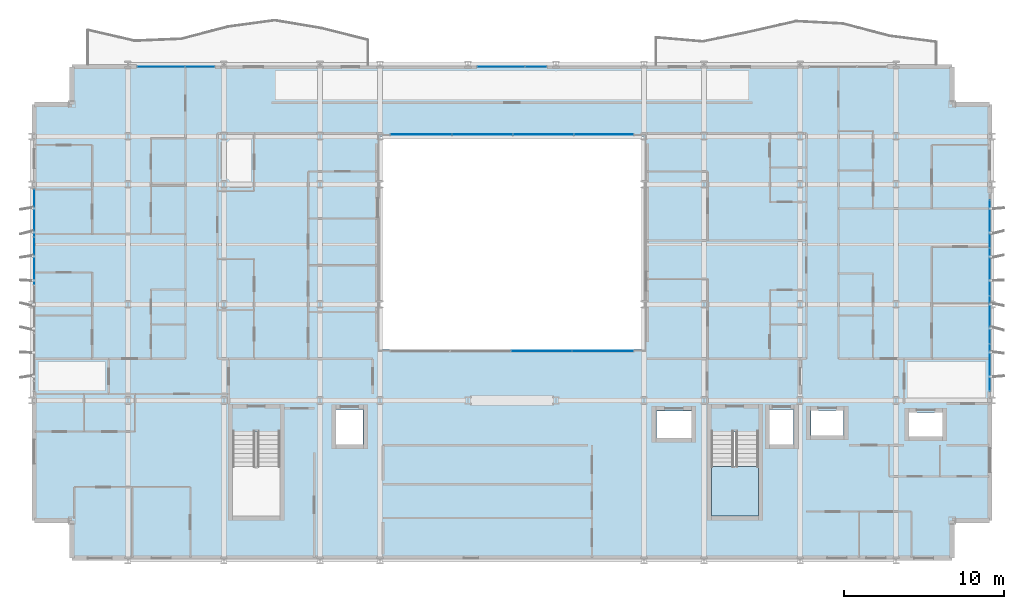
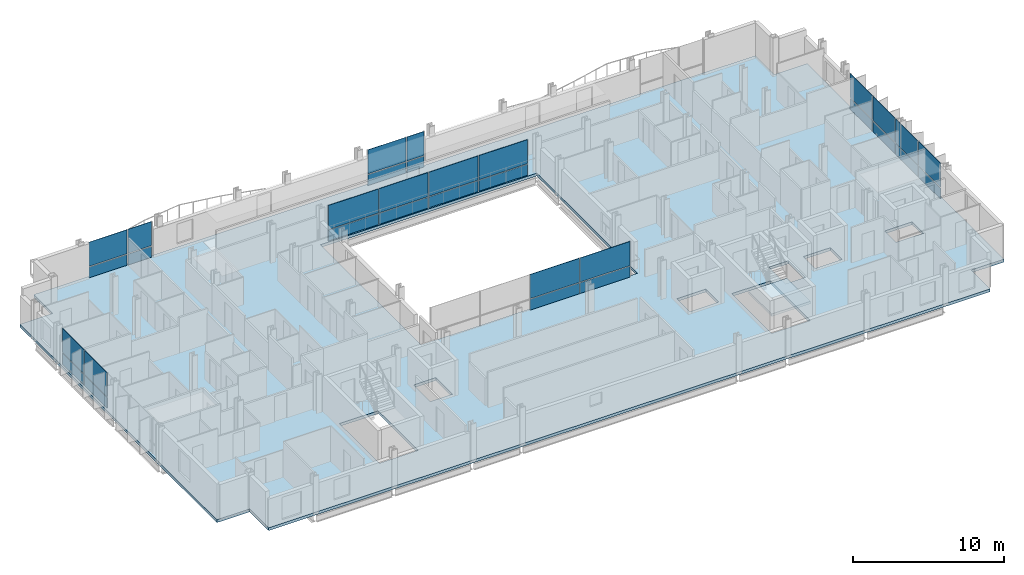
# One storey, part 23 of 38: 32 plates, 2 slabs, 7 elements without a shape of their own.
"""IFC4 building model written with IfcOpenShell, lengths in metres."""

from ifc_helpers import new_model, si_unit, direction, frame, origin, origin_2d, place, context, subcontext, project, spatial, polyline, rectangle, outline, extrude, material, layer, layer_set, type_object, element, aggregate, save


model = new_model("IFC4")

# Units and contexts
model_context = context("Model", 3, precision=1e-05, world=origin(), true_north=direction((0.0, 1.0)))
body_context = subcontext(model_context, "Body", "Model", "MODEL_VIEW")
ifc_project = project(units=[si_unit("LENGTHUNIT", "METRE"), si_unit("AREAUNIT", "SQUARE_METRE"), si_unit("VOLUMEUNIT", "CUBIC_METRE"), si_unit("PLANEANGLEUNIT", "RADIAN"), si_unit("MASSUNIT", "GRAM", prefix="KILO")], contexts=[model_context])

# Site, building, storey
site_placement = place(None, origin())
site = spatial("IfcSite", under=ifc_project, at=site_placement, CompositionType="ELEMENT")
building_placement = place(site_placement, origin())
building = spatial("IfcBuilding", under=site, at=building_placement, Name="Brevholm Reach", CompositionType="ELEMENT")
storey_placement = place(building_placement, frame((0.0, 0.0, 59.0)))
storey = spatial("IfcBuildingStorey", under=building, at=storey_placement, Name="L16", CompositionType="ELEMENT", Elevation=59.0)

# Curtain wall, plates
ifc_material_1 = material(Name="Dark Anodised Aluminium 6063-T6 and Solar-Control Glass", Category="aluminium")
ifc_layer_1 = layer(ifc_material_1, 0.14990234375)
ifc_layer_set_1 = layer_set([ifc_layer_1], Name="Dark Anodised Aluminium 6063-T6 and Solar-Control Glass")
curtain_wall_type_1 = type_object("IfcCurtainWallType", Name="CW-01", PredefinedType="NOTDEFINED", material=ifc_layer_set_1)
curtain_wall_1_placement = place(storey_placement, origin())
curtain_wall_1 = element("IfcCurtainWall", 1, at=curtain_wall_1_placement, inside=storey, type_object=curtain_wall_type_1, Name="L16 Curtain Wall CW-01", PredefinedType="NOTDEFINED")
ifc_material_2 = material(Name="Dark Solar-Control Double-Glazed IGU Glass", Category="glass")
ifc_layer_2 = layer(ifc_material_2, 0.028076171875)
ifc_layer_set_2 = layer_set([ifc_layer_2], Name="Dark Solar-Control Double-Glazed IGU Glass")
plate_type_1 = type_object("IfcPlateType", Name="CWP-GLZ-28", PredefinedType="CURTAIN_PANEL", material=ifc_layer_set_2)
plate_1_placement = place(storey_placement, frame((0.14990234375, 21.703857421875, 0.0), z_axis=(0.0, 0.0, 1.0), x_axis=(0.0, -1.0, 0.0)))
plate_1 = element("IfcPlate", 2, at=plate_1_placement, type_object=plate_type_1, Name="CP-01 Glazing Panel 1.1", PredefinedType="CURTAIN_PANEL", context=body_context, shape_type="SweptSolid", body=[
    extrude(rectangle(XDim=2.902587890625, YDim=0.028076171875, at=origin_2d()), origin(), (0.0, 0.0, 1.0), 0.867431640625),
])
plate_2_placement = place(storey_placement, frame((0.14990234375, 21.703857421875, 0.9326171875), z_axis=(0.0, 0.0, 1.0), x_axis=(0.0, -1.0, 0.0)))
plate_2 = element("IfcPlate", 3, at=plate_2_placement, type_object=plate_type_1, Name="CP-01 Glazing Panel 1.2", PredefinedType="CURTAIN_PANEL", context=body_context, shape_type="SweptSolid", body=[
    extrude(rectangle(XDim=2.902587890625, YDim=0.028076171875, at=origin_2d()), origin(), (0.0, 0.0, 1.0), 1.9375),
])
plate_3_placement = place(storey_placement, frame((0.14990234375, 18.719970703125, 0.0), z_axis=(0.0, 0.0, 1.0), x_axis=(0.0, -1.0, 0.0)))
plate_3 = element("IfcPlate", 4, at=plate_3_placement, type_object=plate_type_1, Name="CP-01 Glazing Panel 2.1", PredefinedType="CURTAIN_PANEL", context=body_context, shape_type="SweptSolid", body=[
    extrude(rectangle(XDim=2.93505859375, YDim=0.028076171875, at=origin_2d()), origin(), (0.0, 0.0, 1.0), 0.867431640625),
])
plate_4_placement = place(storey_placement, frame((0.14990234375, 18.719970703125, 0.9326171875), z_axis=(0.0, 0.0, 1.0), x_axis=(0.0, -1.0, 0.0)))
plate_4 = element("IfcPlate", 5, at=plate_4_placement, type_object=plate_type_1, Name="CP-01 Glazing Panel 2.2", PredefinedType="CURTAIN_PANEL", context=body_context, shape_type="SweptSolid", body=[
    extrude(rectangle(XDim=2.93505859375, YDim=0.028076171875, at=origin_2d()), origin(), (0.0, 0.0, 1.0), 1.9375),
])
aggregate(curtain_wall_1, [plate_1, plate_2, plate_3, plate_4])

curtain_wall_2_placement = place(storey_placement, origin())
curtain_wall_2 = element("IfcCurtainWall", 6, at=curtain_wall_2_placement, inside=storey, type_object=curtain_wall_type_1, Name="L16 Curtain Wall CW-01", PredefinedType="NOTDEFINED")
plate_5_placement = place(storey_placement, frame((59.85009765625, 12.066162109375, 0.0), z_axis=(0.0, 0.0, 1.0), x_axis=(0.0, 1.0, 0.0)))
plate_5 = element("IfcPlate", 7, at=plate_5_placement, type_object=plate_type_1, Name="CP-01 Glazing Panel 1.1", PredefinedType="CURTAIN_PANEL", context=body_context, shape_type="SweptSolid", body=[
    extrude(rectangle(XDim=2.902587890625, YDim=0.028076171875, at=origin_2d()), origin(), (0.0, 0.0, 1.0), 0.867431640625),
])
plate_6_placement = place(storey_placement, frame((59.85009765625, 12.066162109375, 0.9326171875), z_axis=(0.0, 0.0, 1.0), x_axis=(0.0, 1.0, 0.0)))
plate_6 = element("IfcPlate", 8, at=plate_6_placement, type_object=plate_type_1, Name="CP-01 Glazing Panel 1.2", PredefinedType="CURTAIN_PANEL", context=body_context, shape_type="SweptSolid", body=[
    extrude(rectangle(XDim=2.902587890625, YDim=0.028076171875, at=origin_2d()), origin(), (0.0, 0.0, 1.0), 1.9375),
])
plate_7_placement = place(storey_placement, frame((59.85009765625, 15.050048828125, 0.0), z_axis=(0.0, 0.0, 1.0), x_axis=(0.0, 1.0, 0.0)))
plate_7 = element("IfcPlate", 9, at=plate_7_placement, type_object=plate_type_1, Name="CP-01 Glazing Panel 2.1", PredefinedType="CURTAIN_PANEL", context=body_context, shape_type="SweptSolid", body=[
    extrude(rectangle(XDim=2.93505859375, YDim=0.028076171875, at=origin_2d()), origin(), (0.0, 0.0, 1.0), 0.867431640625),
])
plate_8_placement = place(storey_placement, frame((59.85009765625, 15.050048828125, 0.9326171875), z_axis=(0.0, 0.0, 1.0), x_axis=(0.0, 1.0, 0.0)))
plate_8 = element("IfcPlate", 10, at=plate_8_placement, type_object=plate_type_1, Name="CP-01 Glazing Panel 2.2", PredefinedType="CURTAIN_PANEL", context=body_context, shape_type="SweptSolid", body=[
    extrude(rectangle(XDim=2.93505859375, YDim=0.028076171875, at=origin_2d()), origin(), (0.0, 0.0, 1.0), 1.9375),
])
plate_9_placement = place(storey_placement, frame((59.85009765625, 18.050048828125, 0.0), z_axis=(0.0, 0.0, 1.0), x_axis=(0.0, 1.0, 0.0)))
plate_9 = element("IfcPlate", 11, at=plate_9_placement, type_object=plate_type_1, Name="CP-01 Glazing Panel 3.1", PredefinedType="CURTAIN_PANEL", context=body_context, shape_type="SweptSolid", body=[
    extrude(rectangle(XDim=2.93505859375, YDim=0.028076171875, at=origin_2d()), origin(), (0.0, 0.0, 1.0), 0.867431640625),
])
plate_10_placement = place(storey_placement, frame((59.85009765625, 18.050048828125, 0.9326171875), z_axis=(0.0, 0.0, 1.0), x_axis=(0.0, 1.0, 0.0)))
plate_10 = element("IfcPlate", 12, at=plate_10_placement, type_object=plate_type_1, Name="CP-01 Glazing Panel 3.2", PredefinedType="CURTAIN_PANEL", context=body_context, shape_type="SweptSolid", body=[
    extrude(rectangle(XDim=2.93505859375, YDim=0.028076171875, at=origin_2d()), origin(), (0.0, 0.0, 1.0), 1.9375),
])
plate_11_placement = place(storey_placement, frame((59.85009765625, 21.050048828125, 0.0), z_axis=(0.0, 0.0, 1.0), x_axis=(0.0, 1.0, 0.0)))
plate_11 = element("IfcPlate", 13, at=plate_11_placement, type_object=plate_type_1, Name="CP-01 Glazing Panel 4.1", PredefinedType="CURTAIN_PANEL", context=body_context, shape_type="SweptSolid", body=[
    extrude(rectangle(XDim=2.93505859375, YDim=0.028076171875, at=origin_2d()), origin(), (0.0, 0.0, 1.0), 0.867431640625),
])
plate_12_placement = place(storey_placement, frame((59.85009765625, 21.050048828125, 0.9326171875), z_axis=(0.0, 0.0, 1.0), x_axis=(0.0, 1.0, 0.0)))
plate_12 = element("IfcPlate", 14, at=plate_12_placement, type_object=plate_type_1, Name="CP-01 Glazing Panel 4.2", PredefinedType="CURTAIN_PANEL", context=body_context, shape_type="SweptSolid", body=[
    extrude(rectangle(XDim=2.93505859375, YDim=0.028076171875, at=origin_2d()), origin(), (0.0, 0.0, 1.0), 1.9375),
])
aggregate(curtain_wall_2, [plate_5, plate_6, plate_7, plate_8, plate_9, plate_10, plate_11, plate_12])

curtain_wall_3_placement = place(storey_placement, origin())
curtain_wall_3 = element("IfcCurtainWall", 15, at=curtain_wall_3_placement, inside=storey, type_object=curtain_wall_type_1, Name="L16 Curtain Wall CW-01", PredefinedType="NOTDEFINED")
plate_13_placement = place(storey_placement, frame((8.066162109375, 30.85009765625, 0.0), z_axis=(0.0, 0.0, 1.0), x_axis=(1.0, 0.0, 0.0)))
plate_13 = element("IfcPlate", 16, at=plate_13_placement, type_object=plate_type_1, Name="CP-01 Glazing Panel 1.1", PredefinedType="CURTAIN_PANEL", context=body_context, shape_type="SweptSolid", body=[
    extrude(rectangle(XDim=2.902587890625, YDim=0.028076171875, at=origin_2d()), origin(), (0.0, 0.0, 1.0), 0.867431640625),
])
plate_14_placement = place(storey_placement, frame((8.066162109375, 30.85009765625, 0.9326171875), z_axis=(0.0, 0.0, 1.0), x_axis=(1.0, 0.0, 0.0)))
plate_14 = element("IfcPlate", 17, at=plate_14_placement, type_object=plate_type_1, Name="CP-01 Glazing Panel 1.2", PredefinedType="CURTAIN_PANEL", context=body_context, shape_type="SweptSolid", body=[
    extrude(rectangle(XDim=2.902587890625, YDim=0.028076171875, at=origin_2d()), origin(), (0.0, 0.0, 1.0), 1.9375),
])
plate_15_placement = place(storey_placement, frame((10.483642578125, 30.85009765625, 0.0), z_axis=(0.0, 0.0, 1.0), x_axis=(1.0, 0.0, 0.0)))
plate_15 = element("IfcPlate", 18, at=plate_15_placement, type_object=plate_type_1, Name="CP-01 Glazing Panel 2.1", PredefinedType="CURTAIN_PANEL", context=body_context, shape_type="SweptSolid", body=[
    extrude(rectangle(XDim=1.802490234375, YDim=0.028076171875, at=origin_2d()), origin(), (0.0, 0.0, 1.0), 0.867431640625),
])
plate_16_placement = place(storey_placement, frame((10.483642578125, 30.85009765625, 0.9326171875), z_axis=(0.0, 0.0, 1.0), x_axis=(1.0, 0.0, 0.0)))
plate_16 = element("IfcPlate", 19, at=plate_16_placement, type_object=plate_type_1, Name="CP-01 Glazing Panel 2.2", PredefinedType="CURTAIN_PANEL", context=body_context, shape_type="SweptSolid", body=[
    extrude(rectangle(XDim=1.802490234375, YDim=0.028076171875, at=origin_2d()), origin(), (0.0, 0.0, 1.0), 1.9375),
])
aggregate(curtain_wall_3, [plate_13, plate_14, plate_15, plate_16])

curtain_wall_4_placement = place(storey_placement, origin())
curtain_wall_4 = element("IfcCurtainWall", 20, at=curtain_wall_4_placement, inside=storey, type_object=curtain_wall_type_1, Name="L16 Curtain Wall CW-01", PredefinedType="NOTDEFINED")
plate_17_placement = place(storey_placement, frame((29.316162109375, 30.85009765625, 0.0), z_axis=(0.0, 0.0, 1.0), x_axis=(1.0, 0.0, 0.0)))
plate_17 = element("IfcPlate", 21, at=plate_17_placement, type_object=plate_type_1, Name="CP-01 Glazing Panel 1.1", PredefinedType="CURTAIN_PANEL", context=body_context, shape_type="SweptSolid", body=[
    extrude(rectangle(XDim=2.902587890625, YDim=0.028076171875, at=origin_2d()), origin(), (0.0, 0.0, 1.0), 0.867431640625),
])
plate_18_placement = place(storey_placement, frame((29.316162109375, 30.85009765625, 0.9326171875), z_axis=(0.0, 0.0, 1.0), x_axis=(1.0, 0.0, 0.0)))
plate_18 = element("IfcPlate", 22, at=plate_18_placement, type_object=plate_type_1, Name="CP-01 Glazing Panel 1.2", PredefinedType="CURTAIN_PANEL", context=body_context, shape_type="SweptSolid", body=[
    extrude(rectangle(XDim=2.902587890625, YDim=0.028076171875, at=origin_2d()), origin(), (0.0, 0.0, 1.0), 1.9375),
])
plate_19_placement = place(storey_placement, frame((31.483642578125, 30.85009765625, 0.0), z_axis=(0.0, 0.0, 1.0), x_axis=(1.0, 0.0, 0.0)))
plate_19 = element("IfcPlate", 23, at=plate_19_placement, type_object=plate_type_1, Name="CP-01 Glazing Panel 2.1", PredefinedType="CURTAIN_PANEL", context=body_context, shape_type="SweptSolid", body=[
    extrude(rectangle(XDim=1.302490234375, YDim=0.028076171875, at=origin_2d()), origin(), (0.0, 0.0, 1.0), 0.867431640625),
])
plate_20_placement = place(storey_placement, frame((31.483642578125, 30.85009765625, 0.9326171875), z_axis=(0.0, 0.0, 1.0), x_axis=(1.0, 0.0, 0.0)))
plate_20 = element("IfcPlate", 24, at=plate_20_placement, type_object=plate_type_1, Name="CP-01 Glazing Panel 2.2", PredefinedType="CURTAIN_PANEL", context=body_context, shape_type="SweptSolid", body=[
    extrude(rectangle(XDim=1.302490234375, YDim=0.028076171875, at=origin_2d()), origin(), (0.0, 0.0, 1.0), 1.9375),
])
aggregate(curtain_wall_4, [plate_17, plate_18, plate_19, plate_20])

ifc_material_3 = material(Name="Dark Anodised Aluminium 6063-T6 and Solar-Control Glass", Category="aluminium")
ifc_layer_3 = layer(ifc_material_3, 0.139892578125)
ifc_layer_set_3 = layer_set([ifc_layer_3], Name="Dark Anodised Aluminium 6063-T6 and Solar-Control Glass")
curtain_wall_type_2 = type_object("IfcCurtainWallType", Name="CW-02", PredefinedType="NOTDEFINED", material=ifc_layer_set_3)
curtain_wall_5_placement = place(storey_placement, origin())
curtain_wall_5 = element("IfcCurtainWall", 25, at=curtain_wall_5_placement, inside=storey, type_object=curtain_wall_type_2, Name="L16 Curtain Wall CW-02", PredefinedType="NOTDEFINED")
ifc_material_4 = material(Name="Low-Iron Laminated Acoustic Glass", Category="glass")
ifc_layer_4 = layer(ifc_material_4, 0.035888671875)
ifc_layer_set_4 = layer_set([ifc_layer_4], Name="Low-Iron Laminated Acoustic Glass")
plate_type_2 = type_object("IfcPlateType", Name="CWP-GLZ-36", PredefinedType="CURTAIN_PANEL", material=ifc_layer_set_4)
plate_21_placement = place(storey_placement, frame((31.85009765625, 13.080078125, 0.0), z_axis=(0.0, 0.0, 1.0), x_axis=(1.0, 0.0, 0.0)))
plate_21 = element("IfcPlate", 26, at=plate_21_placement, type_object=plate_type_2, Name="CP-02 Glazing Panel 3.1", PredefinedType="CURTAIN_PANEL", context=body_context, shape_type="SweptSolid", body=[
    extrude(rectangle(XDim=3.739990234375, YDim=0.035888671875, at=origin_2d()), origin(), (0.0, 0.0, 1.0), 0.8701171875),
])
plate_22_placement = place(storey_placement, frame((31.85009765625, 13.080078125, 0.929931640625), z_axis=(0.0, 0.0, 1.0), x_axis=(1.0, 0.0, 0.0)))
plate_22 = element("IfcPlate", 27, at=plate_22_placement, type_object=plate_type_2, Name="CP-02 Glazing Panel 3.2", PredefinedType="CURTAIN_PANEL", context=body_context, shape_type="SweptSolid", body=[
    extrude(rectangle(XDim=3.739990234375, YDim=0.035888671875, at=origin_2d()), origin(), (0.0, 0.0, 1.0), 1.93994140625),
])
plate_23_placement = place(storey_placement, frame((35.68505859375, 13.080078125, 0.0), z_axis=(0.0, 0.0, 1.0), x_axis=(1.0, 0.0, 0.0)))
plate_23 = element("IfcPlate", 28, at=plate_23_placement, type_object=plate_type_2, Name="CP-02 Glazing Panel 4.1", PredefinedType="CURTAIN_PANEL", context=body_context, shape_type="SweptSolid", body=[
    extrude(rectangle(XDim=3.81005859375, YDim=0.035888671875, at=origin_2d()), origin(), (0.0, 0.0, 1.0), 0.8701171875),
])
plate_24_placement = place(storey_placement, frame((35.68505859375, 13.080078125, 0.929931640625), z_axis=(0.0, 0.0, 1.0), x_axis=(1.0, 0.0, 0.0)))
plate_24 = element("IfcPlate", 29, at=plate_24_placement, type_object=plate_type_2, Name="CP-02 Glazing Panel 4.2", PredefinedType="CURTAIN_PANEL", context=body_context, shape_type="SweptSolid", body=[
    extrude(rectangle(XDim=3.81005859375, YDim=0.035888671875, at=origin_2d()), origin(), (0.0, 0.0, 1.0), 1.93994140625),
])
aggregate(curtain_wall_5, [plate_21, plate_22, plate_23, plate_24])

curtain_wall_6_placement = place(storey_placement, origin())
curtain_wall_6 = element("IfcCurtainWall", 30, at=curtain_wall_6_placement, inside=storey, type_object=curtain_wall_type_2, Name="L16 Curtain Wall CW-02", PredefinedType="NOTDEFINED")
plate_25_placement = place(storey_placement, frame((35.735107421875, 26.6201171875, 0.0), z_axis=(0.0, 0.0, 1.0), x_axis=(-1.0, 0.0, 0.0)))
plate_25 = element("IfcPlate", 31, at=plate_25_placement, type_object=plate_type_2, Name="CP-02 Glazing Panel 1.1", PredefinedType="CURTAIN_PANEL", context=body_context, shape_type="SweptSolid", body=[
    extrude(rectangle(XDim=3.7099609375, YDim=0.035888671875, at=origin_2d()), origin(), (0.0, 0.0, 1.0), 0.8701171875),
])
plate_26_placement = place(storey_placement, frame((35.735107421875, 26.6201171875, 0.929931640625), z_axis=(0.0, 0.0, 1.0), x_axis=(-1.0, 0.0, 0.0)))
plate_26 = element("IfcPlate", 32, at=plate_26_placement, type_object=plate_type_2, Name="CP-02 Glazing Panel 1.2", PredefinedType="CURTAIN_PANEL", context=body_context, shape_type="SweptSolid", body=[
    extrude(rectangle(XDim=3.7099609375, YDim=0.035888671875, at=origin_2d()), origin(), (0.0, 0.0, 1.0), 1.93994140625),
])
plate_27_placement = place(storey_placement, frame((31.949951171875, 26.6201171875, 0.0), z_axis=(0.0, 0.0, 1.0), x_axis=(-1.0, 0.0, 0.0)))
plate_27 = element("IfcPlate", 33, at=plate_27_placement, type_object=plate_type_2, Name="CP-02 Glazing Panel 2.1", PredefinedType="CURTAIN_PANEL", context=body_context, shape_type="SweptSolid", body=[
    extrude(rectangle(XDim=3.739990234375, YDim=0.035888671875, at=origin_2d()), origin(), (0.0, 0.0, 1.0), 0.8701171875),
])
plate_28_placement = place(storey_placement, frame((31.949951171875, 26.6201171875, 0.929931640625), z_axis=(0.0, 0.0, 1.0), x_axis=(-1.0, 0.0, 0.0)))
plate_28 = element("IfcPlate", 34, at=plate_28_placement, type_object=plate_type_2, Name="CP-02 Glazing Panel 2.2", PredefinedType="CURTAIN_PANEL", context=body_context, shape_type="SweptSolid", body=[
    extrude(rectangle(XDim=3.739990234375, YDim=0.035888671875, at=origin_2d()), origin(), (0.0, 0.0, 1.0), 1.93994140625),
])
plate_29_placement = place(storey_placement, frame((28.14990234375, 26.6201171875, 0.0), z_axis=(0.0, 0.0, 1.0), x_axis=(-1.0, 0.0, 0.0)))
plate_29 = element("IfcPlate", 35, at=plate_29_placement, type_object=plate_type_2, Name="CP-02 Glazing Panel 3.1", PredefinedType="CURTAIN_PANEL", context=body_context, shape_type="SweptSolid", body=[
    extrude(rectangle(XDim=3.739990234375, YDim=0.035888671875, at=origin_2d()), origin(), (0.0, 0.0, 1.0), 0.8701171875),
])
plate_30_placement = place(storey_placement, frame((28.14990234375, 26.6201171875, 0.929931640625), z_axis=(0.0, 0.0, 1.0), x_axis=(-1.0, 0.0, 0.0)))
plate_30 = element("IfcPlate", 36, at=plate_30_placement, type_object=plate_type_2, Name="CP-02 Glazing Panel 3.2", PredefinedType="CURTAIN_PANEL", context=body_context, shape_type="SweptSolid", body=[
    extrude(rectangle(XDim=3.739990234375, YDim=0.035888671875, at=origin_2d()), origin(), (0.0, 0.0, 1.0), 1.93994140625),
])
plate_31_placement = place(storey_placement, frame((24.31494140625, 26.6201171875, 0.0), z_axis=(0.0, 0.0, 1.0), x_axis=(-1.0, 0.0, 0.0)))
plate_31 = element("IfcPlate", 37, at=plate_31_placement, type_object=plate_type_2, Name="CP-02 Glazing Panel 4.1", PredefinedType="CURTAIN_PANEL", context=body_context, shape_type="SweptSolid", body=[
    extrude(rectangle(XDim=3.81005859375, YDim=0.035888671875, at=origin_2d()), origin(), (0.0, 0.0, 1.0), 0.8701171875),
])
plate_32_placement = place(storey_placement, frame((24.31494140625, 26.6201171875, 0.929931640625), z_axis=(0.0, 0.0, 1.0), x_axis=(-1.0, 0.0, 0.0)))
plate_32 = element("IfcPlate", 38, at=plate_32_placement, type_object=plate_type_2, Name="CP-02 Glazing Panel 4.2", PredefinedType="CURTAIN_PANEL", context=body_context, shape_type="SweptSolid", body=[
    extrude(rectangle(XDim=3.81005859375, YDim=0.035888671875, at=origin_2d()), origin(), (0.0, 0.0, 1.0), 1.93994140625),
])
aggregate(curtain_wall_6, [plate_25, plate_26, plate_27, plate_28, plate_29, plate_30, plate_31, plate_32])

# Slab
ifc_material_5 = material(Name="Concrete C40/50", Category="concrete")
ifc_layer_5 = layer(ifc_material_5, 0.22998046875)
ifc_layer_set_5 = layer_set([ifc_layer_5], Name="Concrete C40/50")
slab_type_1 = type_object("IfcSlabType", Name="SLB-FL-230", PredefinedType="FLOOR", material=ifc_layer_set_5)
slab_1_placement = place(storey_placement, frame((0.0, 0.0, -0.22998046875)))
element("IfcSlab", 39, at=slab_1_placement, inside=storey, type_object=slab_type_1, Name="L16 Suspended Floor Slab (main)", PredefinedType="FLOOR", context=body_context, shape_type="SweptSolid", body=[
    extrude(outline(polyline([(2.5, 0.0), (57.5, 0.0), (57.5, 2.5), (60.0, 2.5), (60.0, 28.5), (57.5, 28.5), (57.5, 31.0), (2.5, 31.0), (2.5, 28.5), (0.0, 28.5), (0.0, 2.5), (2.5, 2.5), (2.5, 0.0)]), holes=[polyline([(21.75, 13.199951171875), (38.25, 13.199951171875), (38.25, 26.5), (21.75, 26.5), (21.75, 13.199951171875)]), polyline([(12.550048828125, 2.780029296875), (15.5, 2.780029296875), (15.5, 8.044921875), (12.550048828125, 8.044921875), (12.550048828125, 2.780029296875)]), polyline([(42.449951171875, 2.780029296875), (45.39990234375, 2.780029296875), (45.39990234375, 8.044921875), (42.449951171875, 8.044921875), (42.449951171875, 2.780029296875)]), polyline([(19.0, 7.25), (20.699951171875, 7.25), (20.699951171875, 9.449951171875), (19.0, 9.449951171875), (19.0, 7.25)]), polyline([(46.10009765625, 7.25), (47.60009765625, 7.25), (47.60009765625, 9.449951171875), (46.10009765625, 9.449951171875), (46.10009765625, 7.25)]), polyline([(48.675048828125, 7.824951171875), (50.72509765625, 7.824951171875), (50.72509765625, 9.375), (48.675048828125, 9.375), (48.675048828125, 7.824951171875)]), polyline([(54.800048828125, 7.75), (56.89990234375, 7.75), (56.89990234375, 9.25), (54.800048828125, 9.25), (54.800048828125, 7.75)]), polyline([(39.02001953125, 7.64990234375), (41.219970703125, 7.64990234375), (41.219970703125, 9.35009765625), (39.02001953125, 9.35009765625), (39.02001953125, 7.64990234375)])]), origin(), (0.0, 0.0, 1.0), 0.22998046875),
])

# Stair, slab
ifc_material_6 = material(Name="Precast Concrete C40/50", Category="concrete")
stair_type = type_object("IfcStairType", Name="STR-ESC-1400", PredefinedType="DOUBLE_RETURN_STAIR", material=ifc_material_6)
stair_placement = place(storey_placement, origin())
stair = element("IfcStair", 40, at=stair_placement, inside=storey, type_object=stair_type, Name="L16 ST-2", PredefinedType="DOUBLE_RETURN_STAIR")
ifc_material_7 = material(Name="Concrete C40/50", Category="concrete")
ifc_layer_6 = layer(ifc_material_7, 0.199951171875)
ifc_layer_set_6 = layer_set([ifc_layer_6], Name="Concrete C40/50")
slab_type_2 = type_object("IfcSlabType", Name="SLB-LND-200", PredefinedType="LANDING", material=ifc_layer_set_6)
slab_2_placement = place(storey_placement, frame((0.0, 0.0, 1.35009765625)))
slab_2 = element("IfcSlab", 41, at=slab_2_placement, type_object=slab_type_2, Name="ST-2 landing 1", PredefinedType="LANDING", context=body_context, shape_type="SweptSolid", body=[
    extrude(outline(polyline([(42.449951171875, 5.860107421875), (42.449951171875, 2.780029296875), (45.39990234375, 2.780029296875), (45.39990234375, 5.860107421875), (42.449951171875, 5.860107421875)])), origin(), (0.0, 0.0, 1.0), 0.199951171875),
])
aggregate(stair, [slab_2])

save(model, "model.ifc")
